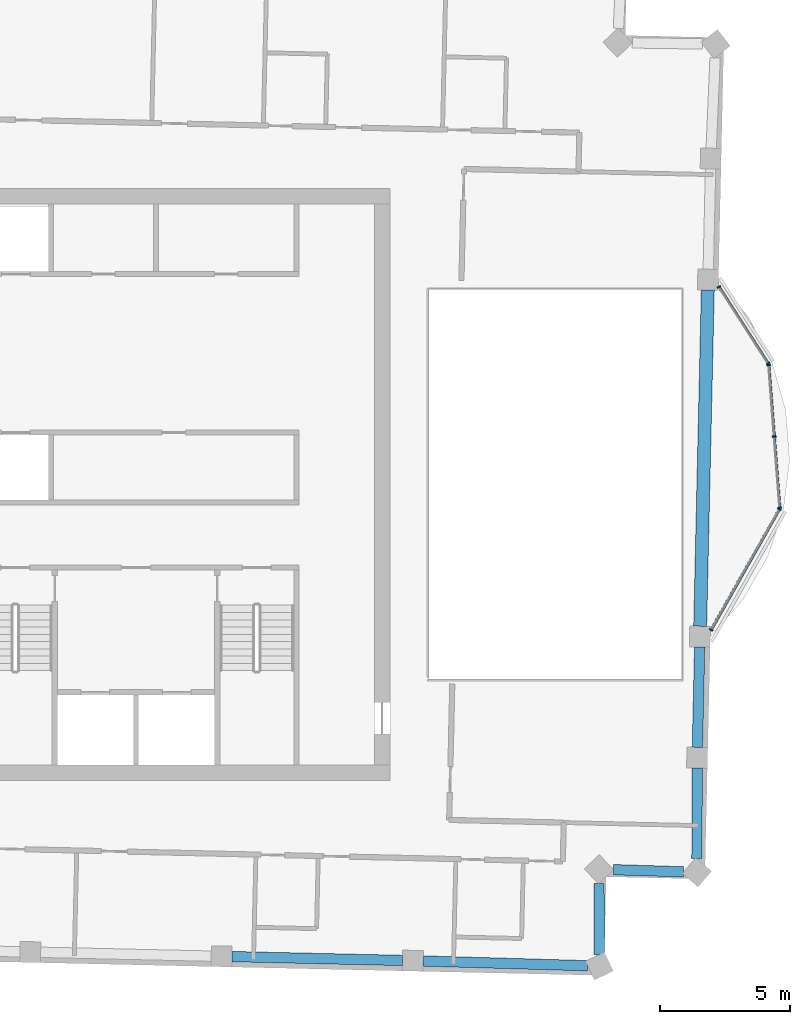
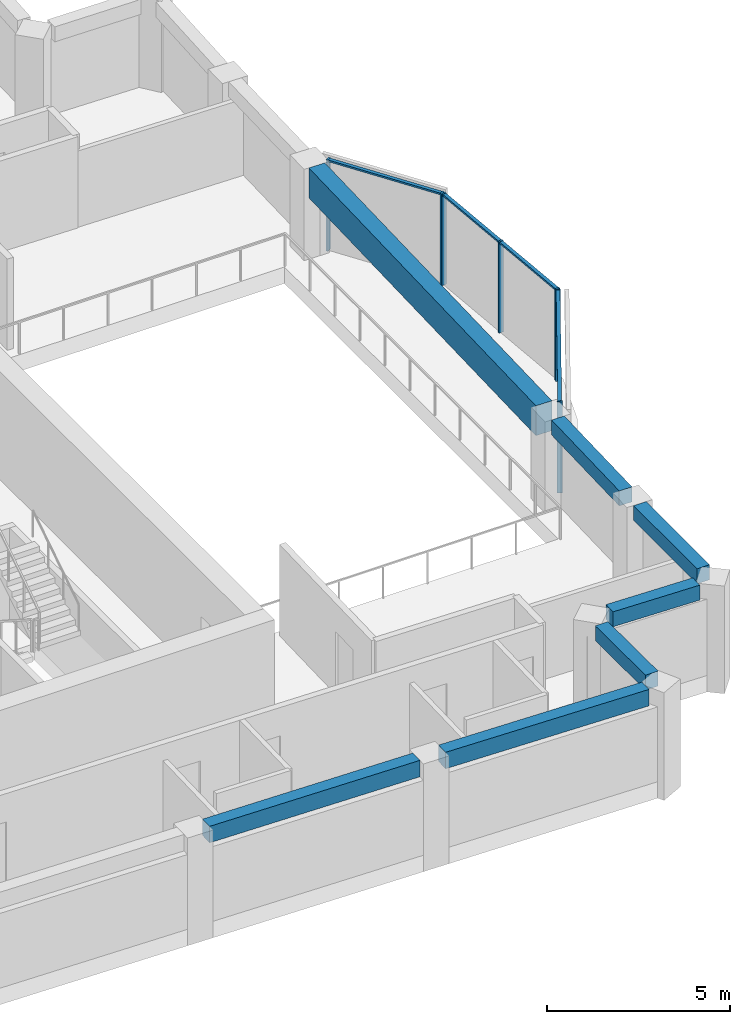
# One storey, part 5 of 12: 11 members, 7 beams, 3 elements without a shape of their own.
"""IFC4 building model written with IfcOpenShell, lengths in metres."""

from ifc_helpers import new_model, si_unit, direction, frame, origin, origin_2d, place, context, subcontext, project, spatial, rectangle, extrude, material, material_profile, profile_set, type_object, element, aggregate, save


model = new_model("IFC4")

# Units and contexts
model_context = context("Model", 3, precision=1e-05, world=origin(), true_north=direction((0.0, 1.0)))
body_context = subcontext(model_context, "Body", "Model", "MODEL_VIEW")
ifc_project = project(units=[si_unit("LENGTHUNIT", "METRE"), si_unit("AREAUNIT", "SQUARE_METRE"), si_unit("VOLUMEUNIT", "CUBIC_METRE"), si_unit("PLANEANGLEUNIT", "RADIAN"), si_unit("MASSUNIT", "GRAM", prefix="KILO")], contexts=[model_context])

# Site, building, storey
site_placement = place(None, origin())
site = spatial("IfcSite", under=ifc_project, at=site_placement, CompositionType="ELEMENT")
building_placement = place(site_placement, origin())
building = spatial("IfcBuilding", under=site, at=building_placement, Name="Mangrove Gate Tower", CompositionType="ELEMENT")
storey_placement = place(building_placement, frame((0.0, 0.0, 342.5)))
storey = spatial("IfcBuildingStorey", under=building, at=storey_placement, Name="L87", CompositionType="ELEMENT", Elevation=342.5)

# Curtain wall, members
ifc_material_1 = material(Name="Aluminium and glass curtain wall", Category="aluminium")
curtain_wall_type = type_object("IfcCurtainWallType", Name="Crown garden glazing wall", PredefinedType="NOTDEFINED", material=ifc_material_1)
curtain_wall_1_placement = place(storey_placement, origin())
curtain_wall_1 = element("IfcCurtainWall", 1, at=curtain_wall_1_placement, inside=storey, type_object=curtain_wall_type, Name="Crown garden glazing E1f1", PredefinedType="NOTDEFINED")
ifc_material_2 = material(Name="Aluminium alloy 6063-T6", Category="aluminium")
ifc_material_profile_1 = material_profile(ifc_material_2, rectangle(XDim=0.06005859375, YDim=0.139892578125, at=origin_2d()))
ifc_profile_set_1 = profile_set([ifc_material_profile_1], Name="Aluminium alloy 6063-T6")
member_type_1 = type_object("IfcMemberType", Name="Crown garden glazing mullion 60x140", PredefinedType="MULLION", material=ifc_profile_set_1)
member_1_placement = place(storey_placement, frame((26.767333984375, -5.598876953125, 0.0), z_axis=(0.0, 0.0, 1.0), x_axis=(0.49256575687, 0.870275229545, 0.0)))
member_1 = element("IfcMember", 2, at=member_1_placement, type_object=member_type_1, Name="CWC mullion 1", PredefinedType="MULLION", context=body_context, shape_type="SweptSolid", body=[
    extrude(rectangle(XDim=0.06005859375, YDim=0.139892578125, at=origin_2d()), origin(), (0.0, 0.0, 1.0), 3.050048828125),
])
member_2_placement = place(storey_placement, frame((29.396484375, -0.95361328125, 0.0), z_axis=(0.0, 0.0, 1.0), x_axis=(0.49256575687, 0.870275229545, 0.0)))
member_2 = element("IfcMember", 3, at=member_2_placement, type_object=member_type_1, Name="CWC mullion 2", PredefinedType="MULLION", context=body_context, shape_type="SweptSolid", body=[
    extrude(rectangle(XDim=0.06005859375, YDim=0.139892578125, at=origin_2d()), origin(), (0.0, 0.0, 1.0), 3.050048828125),
])

curtain_wall_2_placement = place(storey_placement, origin())
curtain_wall_2 = element("IfcCurtainWall", 4, at=curtain_wall_2_placement, inside=storey, type_object=curtain_wall_type, Name="Crown garden glazing E1f2", PredefinedType="NOTDEFINED")
member_3_placement = place(storey_placement, frame((29.408935546875, -0.897705078125, 0.0), z_axis=(0.0, 0.0, 1.0), x_axis=(-0.077023348386, 0.997029289341, 0.0)))
member_3 = element("IfcMember", 5, at=member_3_placement, type_object=member_type_1, Name="CWC mullion 1", PredefinedType="MULLION", context=body_context, shape_type="SweptSolid", body=[
    extrude(rectangle(XDim=0.06005859375, YDim=0.139892578125, at=origin_2d()), origin(), (0.0, 0.0, 1.0), 3.050048828125),
])
member_4_placement = place(storey_placement, frame((29.196533203125, 1.850830078125, 0.0), z_axis=(0.0, 0.0, 1.0), x_axis=(-0.077023348386, 0.997029289341, 0.0)))
member_4 = element("IfcMember", 6, at=member_4_placement, type_object=member_type_1, Name="CWC mullion 2", PredefinedType="MULLION", context=body_context, shape_type="SweptSolid", body=[
    extrude(rectangle(XDim=0.06005859375, YDim=0.139892578125, at=origin_2d()), origin(), (0.0, 0.0, 1.0), 3.050048828125),
])
member_5_placement = place(storey_placement, frame((28.984130859375, 4.599365234375, 0.0), z_axis=(0.0, 0.0, 1.0), x_axis=(-0.077023348386, 0.997029289341, 0.0)))
member_5 = element("IfcMember", 7, at=member_5_placement, type_object=member_type_1, Name="CWC mullion 3", PredefinedType="MULLION", context=body_context, shape_type="SweptSolid", body=[
    extrude(rectangle(XDim=0.06005859375, YDim=0.139892578125, at=origin_2d()), origin(), (0.0, 0.0, 1.0), 3.050048828125),
])

curtain_wall_3_placement = place(storey_placement, origin())
curtain_wall_3 = element("IfcCurtainWall", 8, at=curtain_wall_3_placement, inside=storey, type_object=curtain_wall_type, Name="Crown garden glazing E1f3", PredefinedType="NOTDEFINED")
member_6_placement = place(storey_placement, frame((28.965576171875, 4.654541015625, 0.0), z_axis=(0.0, 0.0, 1.0), x_axis=(-0.540496129899, 0.841346500299, 0.0)))
member_6 = element("IfcMember", 9, at=member_6_placement, type_object=member_type_1, Name="CWC mullion 1", PredefinedType="MULLION", context=body_context, shape_type="SweptSolid", body=[
    extrude(rectangle(XDim=0.06005859375, YDim=0.139892578125, at=origin_2d()), origin(), (0.0, 0.0, 1.0), 3.050048828125),
])
member_7_placement = place(storey_placement, frame((27.069580078125, 7.60595703125, 0.0), z_axis=(0.0, 0.0, 1.0), x_axis=(-0.540496129899, 0.841346500299, 0.0)))
member_7 = element("IfcMember", 10, at=member_7_placement, type_object=member_type_1, Name="CWC mullion 2", PredefinedType="MULLION", context=body_context, shape_type="SweptSolid", body=[
    extrude(rectangle(XDim=0.06005859375, YDim=0.139892578125, at=origin_2d()), origin(), (0.0, 0.0, 1.0), 3.050048828125),
])

# Member
ifc_material_3 = material(Name="Aluminium alloy 6063-T6", Category="aluminium")
ifc_material_profile_2 = material_profile(ifc_material_3, rectangle(XDim=0.06005859375, YDim=0.110107421875, at=origin_2d()))
ifc_profile_set_2 = profile_set([ifc_material_profile_2], Name="Aluminium alloy 6063-T6")
member_type_2 = type_object("IfcMemberType", Name="Crown garden glazing transom 60x110", PredefinedType="USERDEFINED", material=ifc_profile_set_2)
member_8_placement = place(storey_placement, frame((26.7822265625, -5.57275390625, 3.02001953125), z_axis=(0.492532775623, 0.870293895726, 0.0), x_axis=(0.0, 0.0, 1.0)))
member_8 = element("IfcMember", 11, at=member_8_placement, type_object=member_type_2, Name="CWC transom 1.2", ObjectType="TRANSOM", PredefinedType="USERDEFINED", context=body_context, shape_type="SweptSolid", body=[
    extrude(rectangle(XDim=0.06005859375, YDim=0.110107421875, at=origin_2d()), origin(), (0.0, 0.0, 1.0), 5.277587890625),
])

aggregate(curtain_wall_1, [member_1, member_2, member_8])

member_9_placement = place(storey_placement, frame((29.406494140625, -0.86767578125, 3.02001953125), z_axis=(-0.076952650158, 0.997034748458, 0.0), x_axis=(0.0, 0.0, 1.0)))
member_9 = element("IfcMember", 12, at=member_9_placement, type_object=member_type_2, Name="CWC transom 1.2", ObjectType="TRANSOM", PredefinedType="USERDEFINED", context=body_context, shape_type="SweptSolid", body=[
    extrude(rectangle(XDim=0.06005859375, YDim=0.110107421875, at=origin_2d()), origin(), (0.0, 0.0, 1.0), 2.69677734375),
])

member_10_placement = place(storey_placement, frame((29.1943359375, 1.880859375, 3.02001953125), z_axis=(-0.077042645639, 0.997027798385, 0.0), x_axis=(0.0, 0.0, 1.0)))
member_10 = element("IfcMember", 13, at=member_10_placement, type_object=member_type_2, Name="CWC transom 2.2", ObjectType="TRANSOM", PredefinedType="USERDEFINED", context=body_context, shape_type="SweptSolid", body=[
    extrude(rectangle(XDim=0.06005859375, YDim=0.110107421875, at=origin_2d()), origin(), (0.0, 0.0, 1.0), 2.69677734375),
])

aggregate(curtain_wall_2, [member_3, member_4, member_5, member_9, member_10])

member_11_placement = place(storey_placement, frame((28.949462890625, 4.6796875, 3.02001953125), z_axis=(-0.540453376302, 0.841373964444, 0.0), x_axis=(0.0, 0.0, 1.0)))
member_11 = element("IfcMember", 14, at=member_11_placement, type_object=member_type_2, Name="CWC transom 1.2", ObjectType="TRANSOM", PredefinedType="USERDEFINED", context=body_context, shape_type="SweptSolid", body=[
    extrude(rectangle(XDim=0.06005859375, YDim=0.110107421875, at=origin_2d()), origin(), (0.0, 0.0, 1.0), 3.447998046875),
])

aggregate(curtain_wall_3, [member_6, member_7, member_11])

# Beams
ifc_material_4 = material(Name="Concrete C50/60", Category="concrete")
ifc_material_profile_3 = material_profile(ifc_material_4, rectangle(XDim=0.39990234375, YDim=0.5, at=origin_2d()))
ifc_profile_set_3 = profile_set([ifc_material_profile_3], Name="Concrete C50/60")
beam_type_1 = type_object("IfcBeamType", Name="Edge beam RC 400x500 C50/60", PredefinedType="BEAM", material=ifc_profile_set_3)
beam_1_placement = place(storey_placement, frame((22.462890625, -18.101318359375, 2.800048828125), z_axis=(-0.00401926014, 0.999991922741, 0.0), x_axis=(-0.999991922741, -0.00401926014, 0.0)))
element("IfcBeam", 15, at=beam_1_placement, inside=storey, type_object=beam_type_1, Name="Edge beam L87 10", PredefinedType="BEAM", context=body_context, shape_type="SweptSolid", body=[
    extrude(rectangle(XDim=0.39990234375, YDim=0.5, at=origin_2d()), origin(), (0.0, 0.0, 1.0), 2.7333984375),
])
beam_2_placement = place(storey_placement, frame((23.010498046875, -14.833984375, 2.800048828125), z_axis=(0.999532507958, -0.030573935538, 0.0), x_axis=(0.030573935538, 0.999532507958, 0.0)))
element("IfcBeam", 16, at=beam_2_placement, inside=storey, type_object=beam_type_1, Name="Edge beam L87 11", PredefinedType="BEAM", context=body_context, shape_type="SweptSolid", body=[
    extrude(rectangle(XDim=0.39990234375, YDim=0.5, at=origin_2d()), origin(), (0.0, 0.0, 1.0), 2.698974609375),
])
beam_3_placement = place(storey_placement, frame((26.221923828125, -14.407470703125, 2.800048828125), z_axis=(0.002381445933, 0.999997164354, 0.0), x_axis=(-0.999997164354, 0.002381445933, 0.0)))
element("IfcBeam", 17, at=beam_3_placement, inside=storey, type_object=beam_type_1, Name="Edge beam L87 12", PredefinedType="BEAM", context=body_context, shape_type="SweptSolid", body=[
    extrude(rectangle(XDim=0.39990234375, YDim=0.5, at=origin_2d()), origin(), (0.0, 0.0, 1.0), 3.485595703125),
])
beam_4_placement = place(storey_placement, frame((26.240234375, -10.1220703125, 2.800048828125), z_axis=(0.022755866125, 0.999741051751, 0.0), x_axis=(-0.999741051751, 0.022755866125, 0.0)))
element("IfcBeam", 18, at=beam_4_placement, inside=storey, type_object=beam_type_1, Name="Edge beam L87 13", PredefinedType="BEAM", context=body_context, shape_type="SweptSolid", body=[
    extrude(rectangle(XDim=0.39990234375, YDim=0.5, at=origin_2d()), origin(), (0.0, 0.0, 1.0), 3.8623046875),
])
ifc_material_5 = material(Name="Concrete C50/60", Category="concrete")
ifc_material_profile_4 = material_profile(ifc_material_5, rectangle(XDim=0.39990234375, YDim=0.550048828125, at=origin_2d()))
ifc_profile_set_4 = profile_set([ifc_material_profile_4], Name="Concrete C50/60")
beam_type_2 = type_object("IfcBeamType", Name="Edge beam RC 400x550 C50/60", PredefinedType="BEAM", material=ifc_profile_set_4)
beam_5_placement = place(storey_placement, frame((8.31884765625, -18.18017578125, 2.77490234375), z_axis=(0.9997428326, -0.022677492484, 0.0), x_axis=(0.022677492484, 0.9997428326, 0.0)))
element("IfcBeam", 19, at=beam_5_placement, inside=storey, type_object=beam_type_2, Name="Edge beam L87 08", PredefinedType="BEAM", context=body_context, shape_type="SweptSolid", body=[
    extrude(rectangle(XDim=0.39990234375, YDim=0.550048828125, at=origin_2d()), origin(), (0.0, 0.0, 1.0), 6.567138671875),
])
beam_6_placement = place(storey_placement, frame((15.683837890625, -18.349609375, 2.77490234375), z_axis=(0.999582947379, -0.028877868842, 0.0), x_axis=(0.028877868842, 0.999582947379, 0.0)))
element("IfcBeam", 20, at=beam_6_placement, inside=storey, type_object=beam_type_2, Name="Edge beam L87 09", PredefinedType="BEAM", context=body_context, shape_type="SweptSolid", body=[
    extrude(rectangle(XDim=0.39990234375, YDim=0.550048828125, at=origin_2d()), origin(), (0.0, 0.0, 1.0), 6.332275390625),
])
ifc_material_6 = material(Name="Concrete C50/60", Category="concrete")
ifc_material_profile_5 = material_profile(ifc_material_6, rectangle(XDim=0.5, YDim=1.0, at=origin_2d()))
ifc_profile_set_5 = profile_set([ifc_material_profile_5], Name="Concrete C50/60")
beam_type_3 = type_object("IfcBeamType", Name="Edge beam RC 500x1000 C50/60", PredefinedType="BEAM", material=ifc_profile_set_5)
beam_7_placement = place(storey_placement, frame((26.34619140625, -5.4609375, 2.550048828125), z_axis=(0.022697852467, 0.99974237056, 0.0), x_axis=(-0.99974237056, 0.022697852467, 0.0)))
element("IfcBeam", 21, at=beam_7_placement, inside=storey, type_object=beam_type_3, Name="Edge beam L87 14", PredefinedType="BEAM", context=body_context, shape_type="SweptSolid", body=[
    extrude(rectangle(XDim=0.5, YDim=1.0, at=origin_2d()), origin(), (0.0, 0.0, 1.0), 12.950439453125),
])

save(model, "model.ifc")
